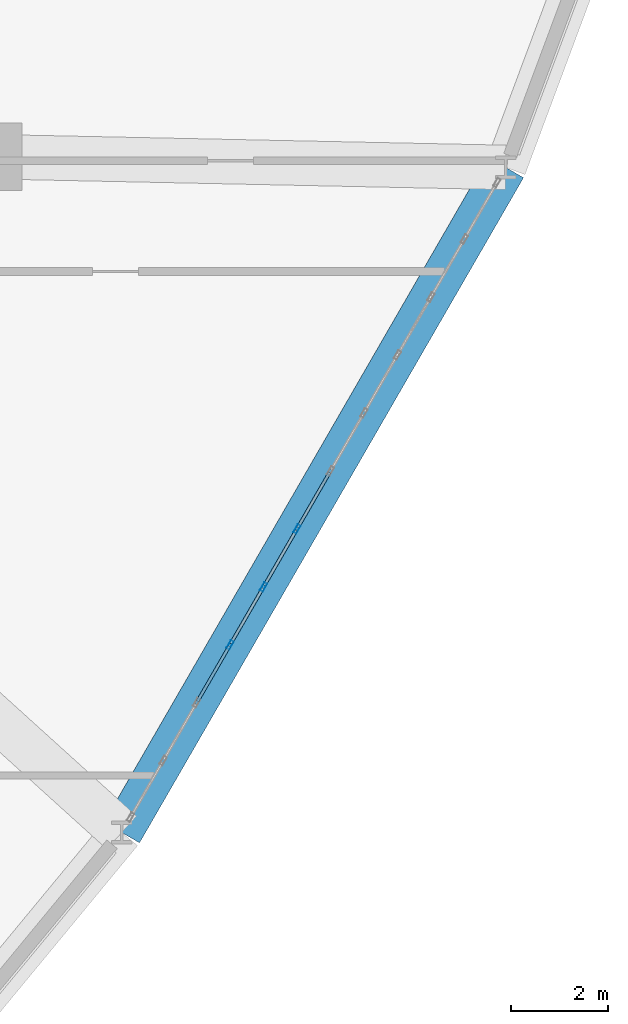
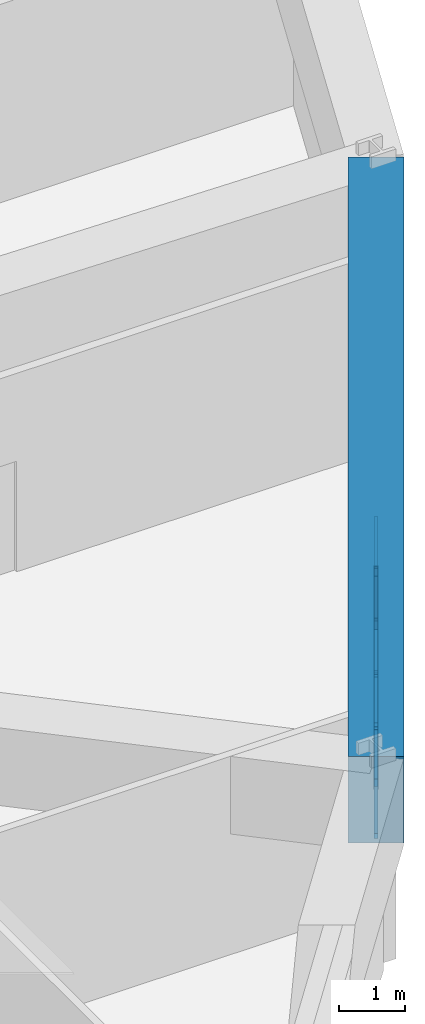
# One storey, part 7 of 20: 13 members, 1 beam, 1 element without a shape of its own.
"""IFC4 building model written with IfcOpenShell, lengths in metres."""

from ifc_helpers import new_model, si_unit, derived_unit, direction, frame, origin, origin_2d, place, context, subcontext, project, spatial, rectangle, hollow_rectangle, extrude, source, transform, mapped, material, layer, layer_set, material_profile, profile_set, type_object, element, aggregate, save


model = new_model("IFC4")

# Units and contexts
model_context = context("Model", 3, precision=1e-05, world=origin(), true_north=direction((0.0, 1.0)))
body_context = subcontext(model_context, "Body", "Model", "MODEL_VIEW")
ifc_project = project(units=[si_unit("LENGTHUNIT", "METRE"), si_unit("AREAUNIT", "SQUARE_METRE"), si_unit("VOLUMEUNIT", "CUBIC_METRE"), si_unit("PLANEANGLEUNIT", "RADIAN"), si_unit("MASSUNIT", "GRAM", prefix="KILO"), derived_unit("THERMALTRANSMITTANCEUNIT", [(si_unit("POWERUNIT", "WATT"), 1), (si_unit("LENGTHUNIT", "METRE"), -2), (si_unit("THERMODYNAMICTEMPERATUREUNIT", "KELVIN"), -1)])], contexts=[model_context])

# Site, building, storey
site_placement = place(None, origin())
site = spatial("IfcSite", under=ifc_project, at=site_placement, CompositionType="ELEMENT")
building_placement = place(site_placement, origin())
building = spatial("IfcBuilding", under=site, at=building_placement, Name="Korsvarv Bourse and Concert Hall", CompositionType="ELEMENT")
storey_placement = place(building_placement, frame((0.0, 0.0, 39.60009765625)))
storey = spatial("IfcBuildingStorey", under=building, at=storey_placement, Name="L09", CompositionType="ELEMENT", Elevation=39.60009765625)

# Beam
ifc_material_1 = material(Name="Concrete C55/67", Category="concrete")
ifc_material_profile_1 = material_profile(ifc_material_1, rectangle(XDim=0.85009765625, YDim=1.60009765625, at=origin_2d()), Name="RC-BM 850x1600")
ifc_profile_set_1 = profile_set([ifc_material_profile_1], Name="Concrete C55/67")
beam_type = type_object("IfcBeamType", Name="BM-TR1B", PredefinedType="BEAM", material=ifc_profile_set_1)
shared_shape_1 = source(origin(), body_context, "Body", "SweptSolid", [
    extrude(rectangle(XDim=0.85009765625, YDim=1.60009765625, at=origin_2d()), origin(), (0.0, 0.0, 1.0), 15.88232421875),
])
beam_placement = place(storey_placement, frame((50.563720703125, 18.422119140625, 2.8798828125), z_axis=(0.500002773106, 0.866023802725, 0.0), x_axis=(-0.866023802725, 0.500002773106, 0.0)))
element("IfcBeam", 1, at=beam_placement, inside=storey, type_object=beam_type, Name="L09 beam B-TR2", PredefinedType="BEAM", context=body_context, shape_type="MappedRepresentation", body=[
    mapped(shared_shape_1, transform((0.0, 0.0, 0.0), scale=1.0)),
])

# Curtain wall, members
ifc_material_2 = material(Name="Anodised aluminium and triple low-E glazing", Category="glass")
ifc_layer = layer(ifc_material_2, 0.219970703125)
ifc_layer_set = layer_set([ifc_layer], Name="Anodised aluminium and triple low-E glazing")
curtain_wall_type = type_object("IfcCurtainWallType", Name="CW-SYS-1", PredefinedType="NOTDEFINED", material=ifc_layer_set)
curtain_wall_placement = place(storey_placement, origin())
curtain_wall = element("IfcCurtainWall", 2, at=curtain_wall_placement, inside=storey, type_object=curtain_wall_type, Name="L09 CW1 curtain wall CW-L09-F11", PredefinedType="NOTDEFINED")
ifc_material_3 = material(Name="Extruded aluminium EN AW-6063 T66", Category="aluminium")
ifc_material_profile_2 = material_profile(ifc_material_3, hollow_rectangle(XDim=0.070068359375, YDim=0.18994140625, WallThickness=0.0048828125, at=origin_2d()), Name="ALU-M 70x190")
ifc_profile_set_2 = profile_set([ifc_material_profile_2], Name="Extruded aluminium EN AW-6063 T66")
member_type_1 = type_object("IfcMemberType", Name="CWM-190", PredefinedType="MULLION", material=ifc_profile_set_2)
shared_shape_2 = source(origin(), body_context, "Body", "SweptSolid", [
    extrude(hollow_rectangle(XDim=0.070068359375, YDim=0.18994140625, WallThickness=0.0048828125, at=origin_2d()), origin(), (0.0, 0.0, 1.0), 2.079833984375),
])
member_1_placement = place(storey_placement, frame((52.8046875, 22.3037109375, 0.0), z_axis=(0.0, 0.0, 1.0), x_axis=(-0.866025616828, 0.499999630998, 0.0)))
member_1 = element("IfcMember", 3, at=member_1_placement, type_object=member_type_1, Name="CW1 mullion 4", PredefinedType="MULLION", context=body_context, shape_type="MappedRepresentation", body=[
    mapped(shared_shape_2, transform((0.0, 0.0, 0.0), scale=1.0)),
])
member_2_placement = place(storey_placement, frame((53.49658203125, 23.501953125, 0.0), z_axis=(0.0, 0.0, 1.0), x_axis=(-0.866025616828, 0.499999630998, 0.0)))
member_2 = element("IfcMember", 4, at=member_2_placement, type_object=member_type_1, Name="CW1 mullion 5", PredefinedType="MULLION", context=body_context, shape_type="MappedRepresentation", body=[
    mapped(shared_shape_2, transform((0.0, 0.0, 0.0), scale=1.0)),
])
member_3_placement = place(storey_placement, frame((54.1884765625, 24.7001953125, 0.0), z_axis=(0.0, 0.0, 1.0), x_axis=(-0.866025616828, 0.499999630998, 0.0)))
member_3 = element("IfcMember", 5, at=member_3_placement, type_object=member_type_1, Name="CW1 mullion 6", PredefinedType="MULLION", context=body_context, shape_type="MappedRepresentation", body=[
    mapped(shared_shape_2, transform((0.0, 0.0, 0.0), scale=1.0)),
])
ifc_material_profile_3 = material_profile(ifc_material_3, hollow_rectangle(XDim=0.06494140625, YDim=0.139892578125, WallThickness=0.00390625, at=origin_2d()), Name="ALU-T 65x140")
ifc_profile_set_3 = profile_set([ifc_material_profile_3], Name="Extruded aluminium EN AW-6063 T66")
member_type_2 = type_object("IfcMemberType", Name="CWT-140", PredefinedType="USERDEFINED", material=ifc_profile_set_3)
shared_shape_3 = source(origin(), body_context, "Body", "SweptSolid", [
    extrude(hollow_rectangle(XDim=0.06494140625, YDim=0.139892578125, WallThickness=0.00390625, at=origin_2d()), origin(), (0.0, 0.0, 1.0), 1.313720703125),
])
member_4_placement = place(storey_placement, frame((52.13037109375, 21.1357421875, 0.032470703125), z_axis=(0.50007633992, 0.865981324425, 0.0), x_axis=(-0.865981324425, 0.50007633992, 0.0)))
member_4 = element("IfcMember", 6, at=member_4_placement, type_object=member_type_2, Name="CW1 transom 3.1", ObjectType="TRANSOM", PredefinedType="USERDEFINED", context=body_context, shape_type="MappedRepresentation", body=[
    mapped(shared_shape_3, transform((0.0, 0.0, 0.0), scale=1.0)),
])
member_5_placement = place(storey_placement, frame((52.13037109375, 21.1357421875, 2.04736328125), z_axis=(0.50007633992, 0.865981324425, 0.0), x_axis=(-0.865981324425, 0.50007633992, 0.0)))
member_5 = element("IfcMember", 7, at=member_5_placement, type_object=member_type_2, Name="CW1 transom 3.2", ObjectType="TRANSOM", PredefinedType="USERDEFINED", context=body_context, shape_type="MappedRepresentation", body=[
    mapped(shared_shape_3, transform((0.0, 0.0, 0.0), scale=1.0)),
])
member_6_placement = place(storey_placement, frame((52.822265625, 22.333984375, 0.032470703125), z_axis=(0.499936960004, 0.866061796884, 0.0), x_axis=(-0.866061796884, 0.499936960004, 0.0)))
member_6 = element("IfcMember", 8, at=member_6_placement, type_object=member_type_2, Name="CW1 transom 4.1", ObjectType="TRANSOM", PredefinedType="USERDEFINED", context=body_context, shape_type="MappedRepresentation", body=[
    mapped(shared_shape_3, transform((0.0, 0.0, 0.0), scale=1.0)),
])
member_7_placement = place(storey_placement, frame((52.822265625, 22.333984375, 2.04736328125), z_axis=(0.499936960004, 0.866061796884, 0.0), x_axis=(-0.866061796884, 0.499936960004, 0.0)))
member_7 = element("IfcMember", 9, at=member_7_placement, type_object=member_type_2, Name="CW1 transom 4.2", ObjectType="TRANSOM", PredefinedType="USERDEFINED", context=body_context, shape_type="MappedRepresentation", body=[
    mapped(shared_shape_3, transform((0.0, 0.0, 0.0), scale=1.0)),
])
ifc_material_profile_4 = material_profile(ifc_material_3, hollow_rectangle(XDim=0.06494140625, YDim=0.1650390625, WallThickness=0.0048828125, at=origin_2d()), Name="ALU-M 65x165")
ifc_profile_set_4 = profile_set([ifc_material_profile_4], Name="Extruded aluminium EN AW-6063 T66")
member_type_3 = type_object("IfcMemberType", Name="CWM-165", PredefinedType="MULLION", material=ifc_profile_set_4)
shared_shape_4 = source(origin(), body_context, "Body", "SweptSolid", [
    extrude(hollow_rectangle(XDim=0.06494140625, YDim=0.1650390625, WallThickness=0.0048828125, at=origin_2d()), origin(), (0.0, 0.0, 1.0), 2.351318359375),
])
member_8_placement = place(storey_placement, frame((52.13037109375, 21.1357421875, 0.06494140625), z_axis=(0.27942064739, 0.48387224706, 0.829332111001), x_axis=(-0.865981324425, 0.50007633992, 0.0)))
member_8 = element("IfcMember", 10, at=member_8_placement, type_object=member_type_3, Name="CW1 diagonal mullion 3", PredefinedType="MULLION", context=body_context, shape_type="MappedRepresentation", body=[
    mapped(shared_shape_4, transform((0.0, 0.0, 0.0), scale=1.0)),
])
shared_shape_5 = source(origin(), body_context, "Body", "SweptSolid", [
    extrude(hollow_rectangle(XDim=0.06494140625, YDim=0.139892578125, WallThickness=0.00390625, at=origin_2d()), origin(), (0.0, 0.0, 1.0), 1.3134765625),
])
member_9_placement = place(storey_placement, frame((53.51416015625, 23.5322265625, 0.032470703125), z_axis=(0.500017439519, 0.866015334839, 0.0), x_axis=(-0.866015334839, 0.500017439519, 0.0)))
member_9 = element("IfcMember", 11, at=member_9_placement, type_object=member_type_2, Name="CW1 transom 5.1", ObjectType="TRANSOM", PredefinedType="USERDEFINED", context=body_context, shape_type="MappedRepresentation", body=[
    mapped(shared_shape_5, transform((0.0, 0.0, 0.0), scale=1.0)),
])
member_10_placement = place(storey_placement, frame((53.51416015625, 23.5322265625, 2.04736328125), z_axis=(0.500017439519, 0.866015334839, 0.0), x_axis=(-0.866015334839, 0.500017439519, 0.0)))
member_10 = element("IfcMember", 12, at=member_10_placement, type_object=member_type_2, Name="CW1 transom 5.2", ObjectType="TRANSOM", PredefinedType="USERDEFINED", context=body_context, shape_type="MappedRepresentation", body=[
    mapped(shared_shape_5, transform((0.0, 0.0, 0.0), scale=1.0)),
])
member_11_placement = place(storey_placement, frame((54.205810546875, 24.73046875, 0.032470703125), z_axis=(0.500017439519, 0.866015334839, 0.0), x_axis=(-0.866015334839, 0.500017439519, 0.0)))
member_11 = element("IfcMember", 13, at=member_11_placement, type_object=member_type_2, Name="CW1 transom 6.1", ObjectType="TRANSOM", PredefinedType="USERDEFINED", context=body_context, shape_type="MappedRepresentation", body=[
    mapped(shared_shape_5, transform((0.0, 0.0, 0.0), scale=1.0)),
])
member_12_placement = place(storey_placement, frame((54.205810546875, 24.73046875, 2.04736328125), z_axis=(0.500017439519, 0.866015334839, 0.0), x_axis=(-0.866015334839, 0.500017439519, 0.0)))
member_12 = element("IfcMember", 14, at=member_12_placement, type_object=member_type_2, Name="CW1 transom 6.2", ObjectType="TRANSOM", PredefinedType="USERDEFINED", context=body_context, shape_type="MappedRepresentation", body=[
    mapped(shared_shape_5, transform((0.0, 0.0, 0.0), scale=1.0)),
])
shared_shape_6 = source(origin(), body_context, "Body", "SweptSolid", [
    extrude(hollow_rectangle(XDim=0.06494140625, YDim=0.1650390625, WallThickness=0.0048828125, at=origin_2d()), origin(), (0.0, 0.0, 1.0), 2.35107421875),
])
member_13_placement = place(storey_placement, frame((54.862548828125, 25.867919921875, 0.06494140625), z_axis=(-0.279338949494, -0.483806753046, 0.829397840004), x_axis=(0.866015334839, -0.500017439519, 0.0)))
member_13 = element("IfcMember", 15, at=member_13_placement, type_object=member_type_3, Name="CW1 diagonal mullion 6", PredefinedType="MULLION", context=body_context, shape_type="MappedRepresentation", body=[
    mapped(shared_shape_6, transform((0.0, 0.0, 0.0), scale=1.0)),
])
aggregate(curtain_wall, [member_1, member_2, member_3, member_4, member_5, member_8, member_6, member_7, member_9, member_10, member_11, member_12, member_13])

save(model, "model.ifc")
